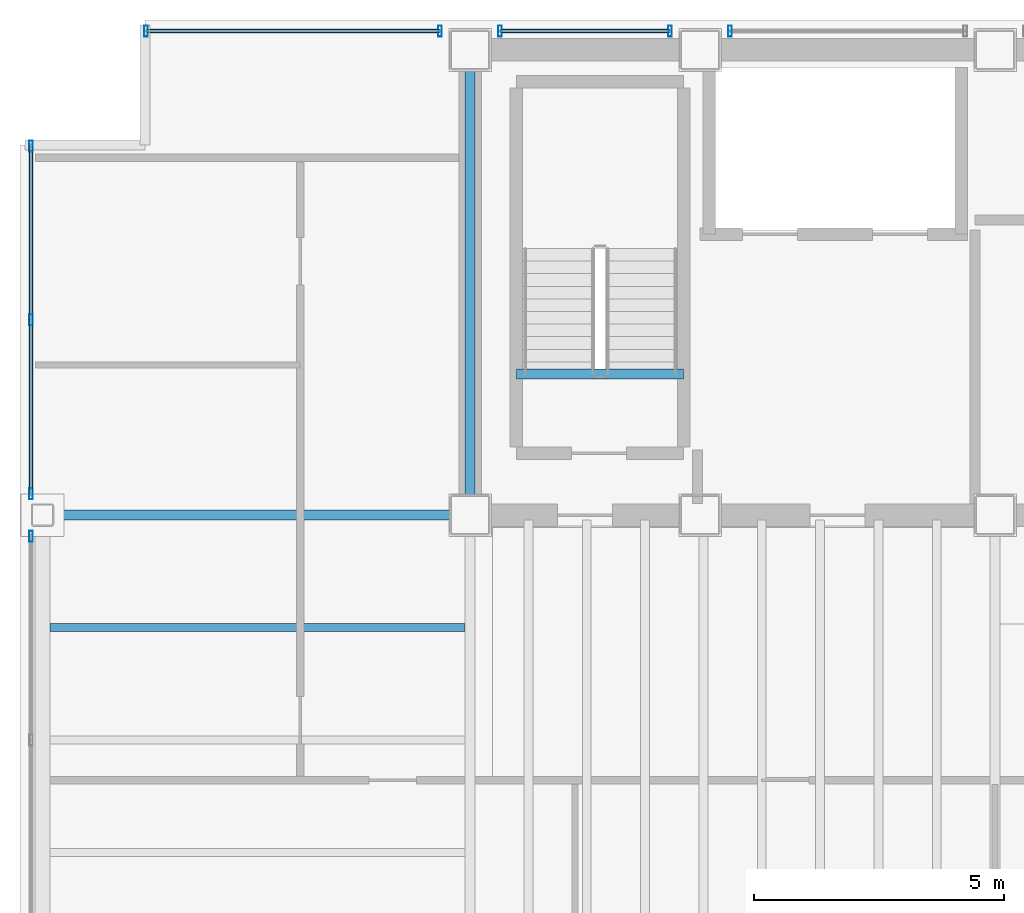
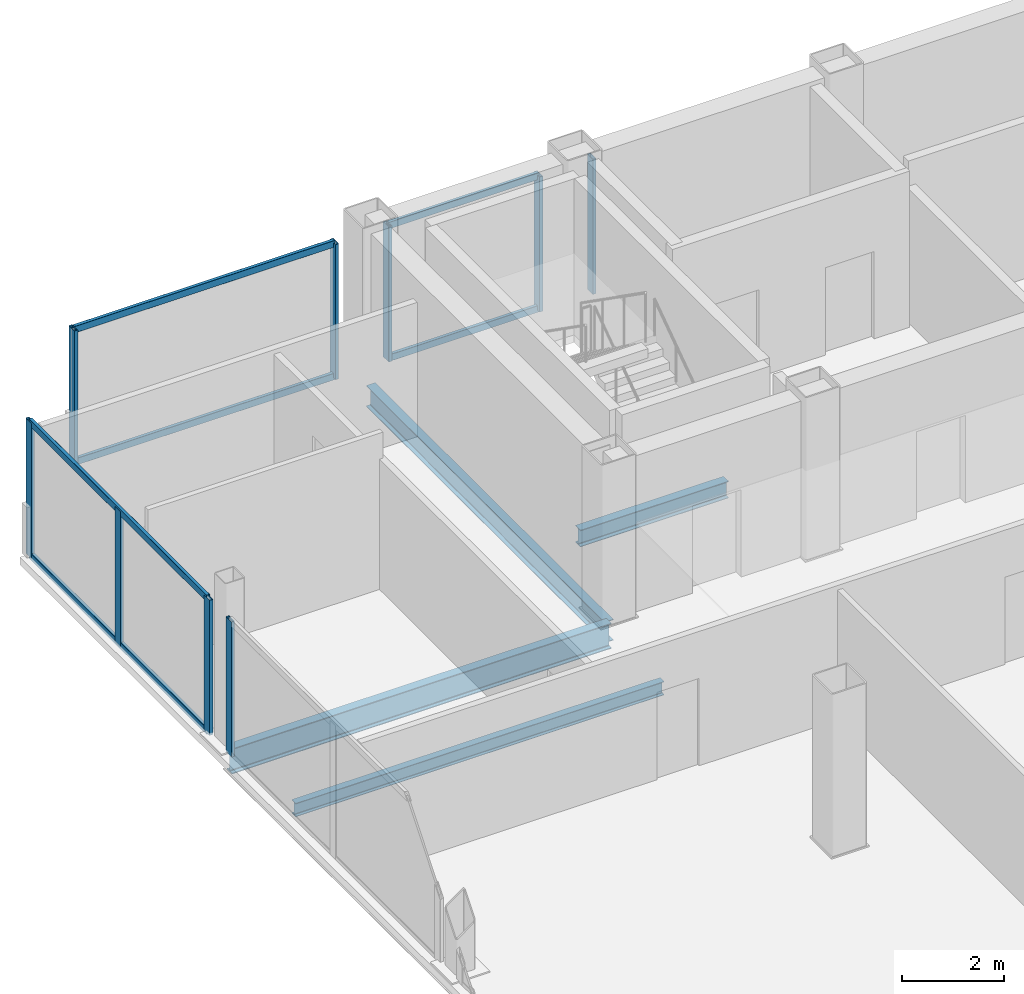
# One storey, part 8 of 16: 15 members, 4 beams, 5 elements without a shape of their own.
"""IFC4 building model written with IfcOpenShell, lengths in metres."""

import ifcopenshell
import ifcopenshell.guid

model = None  # the IFC model being written
_history = None  # IfcOwnerHistory: only IFC2X3 demands one
_inside = {}  # id of a spatial element -> (the spatial element, [elements in it])
_under = {}  # id of a project, library or spatial element -> (it, [spatial elements below it])
_declared = {}  # id of a project -> (the project, [libraries it declares])
_typed = {}  # id of a type object -> (the type object, [elements of that type])
_made_of = {}  # id of a material, layer set ... -> (it, [elements and type objects made of it])


def new_model(schema):
    """Start an empty IFC model of exactly this schema.

    Asked for "IFC4X3", IfcOpenShell would pick the latest addendum, in which some entities
    have other attributes; the version numbers below select the first issue.
    IFC2X3 requires an IfcOwnerHistory on every rooted entity: one is made here for all.
    """
    global model, _history
    if schema == "IFC4X3":
        model = ifcopenshell.file(schema_version=(4, 3, 0, 0))
    else:
        model = ifcopenshell.file(schema=schema)
    _inside.clear()
    _under.clear()
    _declared.clear()
    _typed.clear()
    _made_of.clear()
    _history = None
    if model.schema == "IFC2X3":
        org = make("IfcOrganization", Name="unknown")
        user = make(
            "IfcPersonAndOrganization",
            ThePerson=make("IfcPerson", FamilyName="unknown"),
            TheOrganization=org,
        )
        app = make(
            "IfcApplication",
            ApplicationDeveloper=org,
            Version="unknown",
            ApplicationFullName="unknown",
            ApplicationIdentifier="unknown",
        )
        _history = make(
            "IfcOwnerHistory",
            OwningUser=user,
            OwningApplication=app,
            ChangeAction="ADDED",
            CreationDate=0,
        )
    return model


def make(cls, **values):
    """One entity of the class cls with the attributes given. An attribute that is None is left unset."""
    return model.create_entity(
        cls, **{name: value for name, value in values.items() if value is not None}
    )


def rooted(cls, **values):
    """An entity with a GlobalId (a new one), such as an element, a storey or a relation."""
    return make(cls, GlobalId=ifcopenshell.guid.new(), OwnerHistory=_history, **values)


def si_unit(unit_type, name, prefix=None):
    """IfcSIUnit, for example si_unit("LENGTHUNIT", "METRE", prefix="MILLI")."""
    return make("IfcSIUnit", UnitType=unit_type, Prefix=prefix, Name=name)


def assignment(units):
    """IfcUnitAssignment: the units of a project."""
    return None if units is None else make("IfcUnitAssignment", Units=units)


def point(xyz):
    """IfcCartesianPoint."""
    return None if xyz is None else make("IfcCartesianPoint", Coordinates=xyz)


def direction(xyz):
    """IfcDirection."""
    return None if xyz is None else make("IfcDirection", DirectionRatios=xyz)


def frame(location, z_axis=None, x_axis=None):
    """IfcAxis2Placement3D, a coordinate frame: its origin and axes. An axis left out is left unset."""
    return make(
        "IfcAxis2Placement3D",
        Location=point(location),
        Axis=direction(z_axis),
        RefDirection=direction(x_axis),
    )


def frame_2d(location, x_axis=None):
    """IfcAxis2Placement2D, a coordinate frame in the plane: its origin and x axis."""
    return make(
        "IfcAxis2Placement2D", Location=point(location), RefDirection=direction(x_axis)
    )


def origin():
    """The frame at (0, 0, 0) with its axes left unset."""
    return frame((0.0, 0.0, 0.0))


def origin_2d():
    """The frame at (0, 0) in the plane with its x axis left unset."""
    return frame_2d((0.0, 0.0))


def place(relative_to, where):
    """IfcLocalPlacement: puts the frame where relative to a parent placement (None: the world)."""
    return make(
        "IfcLocalPlacement", PlacementRelTo=relative_to, RelativePlacement=where
    )


def context(
    kind, dimensions, precision=None, world=None, true_north=None, identifier=None
):
    """IfcGeometricRepresentationContext, for example the 3D "Model" context."""
    return make(
        "IfcGeometricRepresentationContext",
        ContextIdentifier=identifier,
        ContextType=kind,
        CoordinateSpaceDimension=dimensions,
        Precision=precision,
        WorldCoordinateSystem=world,
        TrueNorth=true_north,
    )


def subcontext(parent, identifier, kind, view, scale=None):
    """IfcGeometricRepresentationSubContext, for example "Body" below "Model"."""
    return make(
        "IfcGeometricRepresentationSubContext",
        ContextIdentifier=identifier,
        ContextType=kind,
        ParentContext=parent,
        TargetScale=scale,
        TargetView=view,
    )


def project(units=None, contexts=None):
    """IfcProject with its units and contexts."""
    return rooted(
        "IfcProject",
        Name="project",
        RepresentationContexts=contexts,
        UnitsInContext=assignment(units),
    )


def spatial(cls, under=None, at=None, **own):
    """A site, building, storey or space (cls), placed at a placement, below another one or the project."""
    s = rooted(cls, ObjectPlacement=at, **own)
    if under is not None:
        _under.setdefault(under.id(), (under, []))[1].append(s)
    return s


def profile(cls, at=None, kind="AREA", **sizes):
    """A parametric profile (cls). Its sizes go by their IFC names, for example OverallWidth=200.0."""
    return make(cls, ProfileType=kind, Position=at, **sizes)


def hollow_rectangle(**sizes):
    """IfcRectangleHollowProfileDef."""
    return profile("IfcRectangleHollowProfileDef", **sizes)


def i_section(**sizes):
    """IfcIShapeProfileDef."""
    return profile("IfcIShapeProfileDef", **sizes)


def extrude(swept, where, along, depth):
    """IfcExtrudedAreaSolid: the profile swept, set in the frame where, extruded along a direction by depth."""
    return make(
        "IfcExtrudedAreaSolid",
        SweptArea=swept,
        Position=where,
        ExtrudedDirection=direction(along),
        Depth=depth,
    )


def shape(context_of_items, identifier, shape_type, items):
    """IfcShapeRepresentation: the items that make up one representation, for example the "Body"."""
    return make(
        "IfcShapeRepresentation",
        ContextOfItems=context_of_items,
        RepresentationIdentifier=identifier,
        RepresentationType=shape_type,
        Items=items,
    )


def material(Name=None, Category=None):
    """IfcMaterial."""
    return make("IfcMaterial", Name=Name, Category=Category)


def material_profile(
    of_material, cross_section, Name=None, Category=None, Priority=None
):
    """IfcMaterialProfile: a cross section and its material."""
    return make(
        "IfcMaterialProfile",
        Name=Name,
        Material=of_material,
        Profile=cross_section,
        Priority=Priority,
        Category=Category,
    )


def profile_set(profiles, Name=None, composite=None):
    """IfcMaterialProfileSet."""
    return make(
        "IfcMaterialProfileSet",
        Name=Name,
        MaterialProfiles=profiles,
        CompositeProfile=composite,
    )


def made_of(thing, what):
    """Note that an element or type object is made of a material, layer set ...; save() writes the relation."""
    if what is not None:
        _made_of.setdefault(what.id(), (what, []))[1].append(thing)
    return thing


def type_object(cls, material=None, **own):
    """A type object (cls), such as IfcWallType, which elements share."""
    return made_of(rooted(cls, **own), material)


def element(
    cls,
    number,
    at=None,
    inside=None,
    cuts=None,
    type_object=None,
    material=None,
    context=None,
    identifier="Body",
    shape_type=None,
    held_by="IfcProductDefinitionShape",
    body=None,
    shapes=None,
    **own,
):
    """One element of the class cls, such as IfcWall. Its Tag is "e" and its number.

    at: its placement. inside: the storey or other place that contains it. cuts: it is an
    opening in that element (IfcRelVoidsElement). A single representation is given by context,
    identifier, shape_type and body (its items); several are given by shapes. held_by: the class
    of the entity that holds the representations. save() writes the other relations.
    """
    e = rooted(cls, Tag="e%d" % number, ObjectPlacement=at, **own)
    if body is not None:
        shapes = [shape(context, identifier, shape_type, body)]
    if shapes is not None:
        e.Representation = make(held_by, Representations=shapes)
    if inside is not None:
        _inside.setdefault(inside.id(), (inside, []))[1].append(e)
    if cuts is not None:
        rooted(
            "IfcRelVoidsElement", RelatingBuildingElement=cuts, RelatedOpeningElement=e
        )
    if type_object is not None:
        _typed.setdefault(type_object.id(), (type_object, []))[1].append(e)
    return made_of(e, material)


def aggregate(whole, parts):
    """IfcRelAggregates: a whole, such as a stair, and the parts it consists of."""
    return rooted("IfcRelAggregates", RelatingObject=whole, RelatedObjects=parts)


def save(model, path):
    """Write the relations noted so far, then the file.

    IfcRelAggregates (storeys below a building ...), IfcRelContainedInSpatialStructure (elements
    in a storey), IfcRelDefinesByType, IfcRelAssociatesMaterial and IfcRelDeclares: one each for
    every whole, place, type object, material and project.
    """
    for whole, parts in _under.values():
        aggregate(whole, parts)
    for where, things in _inside.values():
        rooted(
            "IfcRelContainedInSpatialStructure",
            RelatedElements=things,
            RelatingStructure=where,
        )
    for kind, things in _typed.values():
        rooted("IfcRelDefinesByType", RelatedObjects=things, RelatingType=kind)
    for what, things in _made_of.values():
        rooted("IfcRelAssociatesMaterial", RelatedObjects=things, RelatingMaterial=what)
    for by, libraries in _declared.values():
        rooted("IfcRelDeclares", RelatingContext=by, RelatedDefinitions=libraries)
    model.write(path)


model = new_model("IFC4")

# Units and contexts
model_context = context("Model", 3, precision=1e-05, world=origin(), true_north=direction((0.0, 1.0)))
body_context = subcontext(model_context, "Body", "Model", "MODEL_VIEW")
ifc_project = project(units=[si_unit("LENGTHUNIT", "METRE"), si_unit("AREAUNIT", "SQUARE_METRE"), si_unit("VOLUMEUNIT", "CUBIC_METRE"), si_unit("PLANEANGLEUNIT", "RADIAN"), si_unit("MASSUNIT", "GRAM", prefix="KILO")], contexts=[model_context])

# Site, building, storey
site_placement = place(None, origin())
site = spatial("IfcSite", under=ifc_project, at=site_placement, CompositionType="ELEMENT")
building_placement = place(site_placement, origin())
building = spatial("IfcBuilding", under=site, at=building_placement, Name="Noeulbin Bourse Tower", CompositionType="ELEMENT")
storey_placement = place(building_placement, frame((0.0, 0.0, 234.5)))
storey = spatial("IfcBuildingStorey", under=building, at=storey_placement, Name="L58", CompositionType="ELEMENT", Elevation=234.5)

# Beams
ifc_material_1 = material(Name="Steel S355", Category="steel")
ifc_material_profile_1 = material_profile(ifc_material_1, i_section(OverallWidth=0.199951171875, OverallDepth=0.5, WebThickness=0.010009765625, FlangeThickness=0.01611328125, FilletRadius=0.02001953125, at=origin_2d()), Name="H-500x200x10x16", Category="LoadBearing")
ifc_profile_set_1 = profile_set([ifc_material_profile_1], Name="Steel S355")
beam_type_1 = type_object("IfcBeamType", Name="BM-GRD-500", PredefinedType="USERDEFINED", material=ifc_profile_set_1)
beam_1_placement = place(storey_placement, frame((13.5, 29.0, -0.429931640625), z_axis=(0.0, 1.0, 0.0), x_axis=(-1.0, 0.0, 0.0)))
element("IfcBeam", 1, at=beam_1_placement, inside=storey, type_object=beam_type_1, Name="Tower Primary Girder NS L58-1.3", ObjectType="GIRDER", PredefinedType="USERDEFINED", context=body_context, shape_type="SweptSolid", body=[
    extrude(i_section(OverallWidth=0.199951171875, OverallDepth=0.5, WebThickness=0.010009765625, FlangeThickness=0.01611328125, FilletRadius=0.02001953125, at=origin_2d()), origin(), (0.0, 0.0, 1.0), 9.300048828125),
])
ifc_material_profile_2 = material_profile(ifc_material_1, i_section(OverallWidth=0.199951171875, OverallDepth=0.60009765625, WebThickness=0.010986328125, FlangeThickness=0.01708984375, FilletRadius=0.02197265625, at=origin_2d()), Name="H-600x200x11x17", Category="LoadBearing")
ifc_profile_set_2 = profile_set([ifc_material_profile_2], Name="Steel S355")
beam_type_2 = type_object("IfcBeamType", Name="BM-GRD-600", PredefinedType="USERDEFINED", material=ifc_profile_set_2)
beam_2_placement = place(storey_placement, frame((4.949951171875, 29.0, -0.47998046875), z_axis=(1.0, 0.0, 0.0), x_axis=(0.0, 1.0, 0.0)))
element("IfcBeam", 2, at=beam_2_placement, inside=storey, type_object=beam_type_2, Name="Tower Primary Girder EW L58-2.1", ObjectType="GIRDER", PredefinedType="USERDEFINED", context=body_context, shape_type="SweptSolid", body=[
    extrude(i_section(OverallWidth=0.199951171875, OverallDepth=0.60009765625, WebThickness=0.010986328125, FlangeThickness=0.01708984375, FilletRadius=0.02197265625, at=origin_2d()), origin(), (0.0, 0.0, 1.0), 8.550048828125),
])
ifc_material_profile_3 = material_profile(ifc_material_1, i_section(OverallWidth=0.159912109375, OverallDepth=0.320068359375, WebThickness=0.006591796875, FlangeThickness=0.010009765625, FilletRadius=0.012939453125, at=origin_2d()), Name="H-320x160x6.5x10", Category="LoadBearing")
ifc_profile_set_3 = profile_set([ifc_material_profile_3], Name="Steel S355")
beam_type_3 = type_object("IfcBeamType", Name="BM-JST-320", PredefinedType="JOIST", material=ifc_profile_set_3)
beam_3_placement = place(storey_placement, frame((5.10009765625, 26.75, -0.340087890625), z_axis=(1.0, 0.0, 0.0), x_axis=(0.0, 1.0, 0.0)))
element("IfcBeam", 3, at=beam_3_placement, inside=storey, type_object=beam_type_3, Name="Wing Composite Joist L58-W39", PredefinedType="JOIST", context=body_context, shape_type="SweptSolid", body=[
    extrude(i_section(OverallWidth=0.159912109375, OverallDepth=0.320068359375, WebThickness=0.006591796875, FlangeThickness=0.010009765625, FilletRadius=0.012939453125, at=origin_2d()), origin(), (0.0, 0.0, 1.0), 8.2998046875),
])
ifc_material_profile_4 = material_profile(ifc_material_1, i_section(OverallWidth=0.199951171875, OverallDepth=0.39990234375, WebThickness=0.008056640625, FlangeThickness=0.012939453125, FilletRadius=0.01611328125, at=origin_2d()), Name="H-400x200x8x13", Category="LoadBearing")
ifc_profile_set_4 = profile_set([ifc_material_profile_4], Name="Steel S355")
beam_type_4 = type_object("IfcBeamType", Name="BM-SEC-400", PredefinedType="BEAM", material=ifc_profile_set_4)
beam_4_placement = place(storey_placement, frame((14.429931640625, 31.820068359375, -0.199951171875), z_axis=(1.0, 0.0, 0.0), x_axis=(0.0, 1.0, 0.0)))
element("IfcBeam", 4, at=beam_4_placement, inside=storey, type_object=beam_type_4, Name="Stair Threshold Trimmer Beam ST1-L58", PredefinedType="BEAM", context=body_context, shape_type="SweptSolid", body=[
    extrude(i_section(OverallWidth=0.199951171875, OverallDepth=0.39990234375, WebThickness=0.008056640625, FlangeThickness=0.012939453125, FilletRadius=0.01611328125, at=origin_2d()), origin(), (0.0, 0.0, 1.0), 3.340087890625),
])

# Curtain wall, members
ifc_material_2 = material(Name="High-Selectivity Low-Iron Glazing", Category="glass")
curtain_wall_type = type_object("IfcCurtainWallType", Name="CW-SYS-4", PredefinedType="NOTDEFINED", material=ifc_material_2)
curtain_wall_1_placement = place(storey_placement, origin())
curtain_wall_1 = element("IfcCurtainWall", 5, at=curtain_wall_1_placement, inside=storey, type_object=curtain_wall_type, Name="Unitised Curtain Wall CW-L58-N-S1", PredefinedType="NOTDEFINED")
ifc_material_3 = material(Name="Anodised Aluminium 6063-T6", Category="aluminium")
ifc_material_profile_5 = material_profile(ifc_material_3, hollow_rectangle(XDim=0.074951171875, YDim=0.219970703125, WallThickness=0.0048828125, InnerFilletRadius=0.00244140625, OuterFilletRadius=0.0048828125, at=origin_2d()), Name="ALU-MULL-75x220x5", Category="LoadBearing")
ifc_profile_set_5 = profile_set([ifc_material_profile_5], Name="Anodised Aluminium 6063-T6")
member_type_1 = type_object("IfcMemberType", Name="CW-SYS-4-MUL", PredefinedType="MULLION", material=ifc_profile_set_5)
member_1_placement = place(storey_placement, frame((7.02001953125, 38.679931640625, -0.02001953125), z_axis=(0.0, 0.0, 1.0), x_axis=(1.0, 0.0, 0.0)))
member_1 = element("IfcMember", 6, at=member_1_placement, type_object=member_type_1, Name="Curtain Wall Mullion CW-L58-N-S1-M00", PredefinedType="MULLION", context=body_context, shape_type="SweptSolid", body=[
    extrude(hollow_rectangle(XDim=0.074951171875, YDim=0.219970703125, WallThickness=0.0048828125, InnerFilletRadius=0.00244140625, OuterFilletRadius=0.0048828125, at=origin_2d()), origin(), (0.0, 0.0, 1.0), 3.219970703125),
])
member_2_placement = place(storey_placement, frame((12.89990234375, 38.679931640625, -0.02001953125), z_axis=(0.0, 0.0, 1.0), x_axis=(1.0, 0.0, 0.0)))
member_2 = element("IfcMember", 7, at=member_2_placement, type_object=member_type_1, Name="Curtain Wall Mullion CW-L58-N-S1-M01", PredefinedType="MULLION", context=body_context, shape_type="SweptSolid", body=[
    extrude(hollow_rectangle(XDim=0.074951171875, YDim=0.219970703125, WallThickness=0.0048828125, InnerFilletRadius=0.00244140625, OuterFilletRadius=0.0048828125, at=origin_2d()), origin(), (0.0, 0.0, 1.0), 3.219970703125),
])

curtain_wall_2_placement = place(storey_placement, origin())
curtain_wall_2 = element("IfcCurtainWall", 8, at=curtain_wall_2_placement, inside=storey, type_object=curtain_wall_type, Name="Unitised Curtain Wall CW-L58-N-S2", PredefinedType="NOTDEFINED")
member_3_placement = place(storey_placement, frame((14.10009765625, 38.679931640625, -0.02001953125), z_axis=(0.0, 0.0, 1.0), x_axis=(1.0, 0.0, 0.0)))
member_3 = element("IfcMember", 9, at=member_3_placement, type_object=member_type_1, Name="Curtain Wall Mullion CW-L58-N-S2-M00", PredefinedType="MULLION", context=body_context, shape_type="SweptSolid", body=[
    extrude(hollow_rectangle(XDim=0.074951171875, YDim=0.219970703125, WallThickness=0.0048828125, InnerFilletRadius=0.00244140625, OuterFilletRadius=0.0048828125, at=origin_2d()), origin(), (0.0, 0.0, 1.0), 3.219970703125),
])
member_4_placement = place(storey_placement, frame((17.5, 38.679931640625, -0.02001953125), z_axis=(0.0, 0.0, 1.0), x_axis=(1.0, 0.0, 0.0)))
member_4 = element("IfcMember", 10, at=member_4_placement, type_object=member_type_1, Name="Curtain Wall Mullion CW-L58-N-S2-M01", PredefinedType="MULLION", context=body_context, shape_type="SweptSolid", body=[
    extrude(hollow_rectangle(XDim=0.074951171875, YDim=0.219970703125, WallThickness=0.0048828125, InnerFilletRadius=0.00244140625, OuterFilletRadius=0.0048828125, at=origin_2d()), origin(), (0.0, 0.0, 1.0), 3.219970703125),
])

# Curtain wall, member
curtain_wall_3_placement = place(storey_placement, origin())
curtain_wall_3 = element("IfcCurtainWall", 11, at=curtain_wall_3_placement, inside=storey, type_object=curtain_wall_type, Name="Unitised Curtain Wall CW-L58-N-S3", PredefinedType="NOTDEFINED")
member_5_placement = place(storey_placement, frame((18.699951171875, 38.679931640625, -0.02001953125), z_axis=(0.0, 0.0, 1.0), x_axis=(1.0, 0.0, 0.0)))
member_5 = element("IfcMember", 12, at=member_5_placement, type_object=member_type_1, Name="Curtain Wall Mullion CW-L58-N-S3-M00", PredefinedType="MULLION", context=body_context, shape_type="SweptSolid", body=[
    extrude(hollow_rectangle(XDim=0.074951171875, YDim=0.219970703125, WallThickness=0.0048828125, InnerFilletRadius=0.00244140625, OuterFilletRadius=0.0048828125, at=origin_2d()), origin(), (0.0, 0.0, 1.0), 3.219970703125),
])
aggregate(curtain_wall_3, [member_5])

curtain_wall_4_placement = place(storey_placement, origin())
curtain_wall_4 = element("IfcCurtainWall", 13, at=curtain_wall_4_placement, inside=storey, type_object=curtain_wall_type, Name="Unitised Curtain Wall CW-L58-W-S2", PredefinedType="NOTDEFINED")
member_6_placement = place(storey_placement, frame((4.719970703125, 28.574951171875, -0.02001953125), z_axis=(0.0, 0.0, 1.0), x_axis=(1.0, 0.0, 0.0)))
member_6 = element("IfcMember", 14, at=member_6_placement, type_object=member_type_1, Name="Curtain Wall Mullion CW-L58-W-S2-M02", PredefinedType="MULLION", context=body_context, shape_type="SweptSolid", body=[
    extrude(hollow_rectangle(XDim=0.074951171875, YDim=0.219970703125, WallThickness=0.0048828125, InnerFilletRadius=0.00244140625, OuterFilletRadius=0.0048828125, at=origin_2d()), origin(), (0.0, 0.0, 1.0), 3.219970703125),
])
aggregate(curtain_wall_4, [member_6])

# Curtain wall, members
curtain_wall_5_placement = place(storey_placement, origin())
curtain_wall_5 = element("IfcCurtainWall", 15, at=curtain_wall_5_placement, inside=storey, type_object=curtain_wall_type, Name="Unitised Curtain Wall CW-L58-W-S3", PredefinedType="NOTDEFINED")
member_7_placement = place(storey_placement, frame((4.719970703125, 29.425048828125, -0.02001953125), z_axis=(0.0, 0.0, 1.0), x_axis=(1.0, 0.0, 0.0)))
member_7 = element("IfcMember", 16, at=member_7_placement, type_object=member_type_1, Name="Curtain Wall Mullion CW-L58-W-S3-M00", PredefinedType="MULLION", context=body_context, shape_type="SweptSolid", body=[
    extrude(hollow_rectangle(XDim=0.074951171875, YDim=0.219970703125, WallThickness=0.0048828125, InnerFilletRadius=0.00244140625, OuterFilletRadius=0.0048828125, at=origin_2d()), origin(), (0.0, 0.0, 1.0), 3.219970703125),
])
member_8_placement = place(storey_placement, frame((4.719970703125, 32.902587890625, -0.02001953125), z_axis=(0.0, 0.0, 1.0), x_axis=(1.0, 0.0, 0.0)))
member_8 = element("IfcMember", 17, at=member_8_placement, type_object=member_type_1, Name="Curtain Wall Mullion CW-L58-W-S3-M01", PredefinedType="MULLION", context=body_context, shape_type="SweptSolid", body=[
    extrude(hollow_rectangle(XDim=0.074951171875, YDim=0.219970703125, WallThickness=0.0048828125, InnerFilletRadius=0.00244140625, OuterFilletRadius=0.0048828125, at=origin_2d()), origin(), (0.0, 0.0, 1.0), 3.219970703125),
])
member_9_placement = place(storey_placement, frame((4.719970703125, 36.3798828125, -0.02001953125), z_axis=(0.0, 0.0, 1.0), x_axis=(1.0, 0.0, 0.0)))
member_9 = element("IfcMember", 18, at=member_9_placement, type_object=member_type_1, Name="Curtain Wall Mullion CW-L58-W-S3-M02", PredefinedType="MULLION", context=body_context, shape_type="SweptSolid", body=[
    extrude(hollow_rectangle(XDim=0.074951171875, YDim=0.219970703125, WallThickness=0.0048828125, InnerFilletRadius=0.00244140625, OuterFilletRadius=0.0048828125, at=origin_2d()), origin(), (0.0, 0.0, 1.0), 3.219970703125),
])

# Member
ifc_material_profile_6 = material_profile(ifc_material_3, hollow_rectangle(XDim=0.074951171875, YDim=0.159912109375, WallThickness=0.0048828125, InnerFilletRadius=0.00244140625, OuterFilletRadius=0.0048828125, at=origin_2d()), Name="ALU-TRAN-75x160x5", Category="LoadBearing")
ifc_profile_set_6 = profile_set([ifc_material_profile_6], Name="Anodised Aluminium 6063-T6")
member_type_2 = type_object("IfcMemberType", Name="CW-SYS-4-TRN", PredefinedType="USERDEFINED", material=ifc_profile_set_6)
member_10_placement = place(storey_placement, frame((7.030029296875, 38.679931640625, 0.010009765625), z_axis=(1.0, 0.0, 0.0), x_axis=(0.0, 1.0, 0.0)))
member_10 = element("IfcMember", 19, at=member_10_placement, type_object=member_type_2, Name="Curtain Wall Transom CW-L58-N-S1-T00", ObjectType="TRANSOM", PredefinedType="USERDEFINED", context=body_context, shape_type="SweptSolid", body=[
    extrude(hollow_rectangle(XDim=0.074951171875, YDim=0.159912109375, WallThickness=0.0048828125, InnerFilletRadius=0.00244140625, OuterFilletRadius=0.0048828125, at=origin_2d()), origin(), (0.0, 0.0, 1.0), 5.85986328125),
])

member_11_placement = place(storey_placement, frame((7.030029296875, 38.679931640625, 3.169921875), z_axis=(1.0, 0.0, 0.0), x_axis=(0.0, 1.0, 0.0)))
member_11 = element("IfcMember", 20, at=member_11_placement, type_object=member_type_2, Name="Curtain Wall Transom CW-L58-N-S1-T01", ObjectType="TRANSOM", PredefinedType="USERDEFINED", context=body_context, shape_type="SweptSolid", body=[
    extrude(hollow_rectangle(XDim=0.074951171875, YDim=0.159912109375, WallThickness=0.0048828125, InnerFilletRadius=0.00244140625, OuterFilletRadius=0.0048828125, at=origin_2d()), origin(), (0.0, 0.0, 1.0), 5.85986328125),
])

aggregate(curtain_wall_1, [member_1, member_2, member_10, member_11])

member_12_placement = place(storey_placement, frame((14.110107421875, 38.679931640625, 0.010009765625), z_axis=(1.0, 0.0, 0.0), x_axis=(0.0, 1.0, 0.0)))
member_12 = element("IfcMember", 21, at=member_12_placement, type_object=member_type_2, Name="Curtain Wall Transom CW-L58-N-S2-T00", ObjectType="TRANSOM", PredefinedType="USERDEFINED", context=body_context, shape_type="SweptSolid", body=[
    extrude(hollow_rectangle(XDim=0.074951171875, YDim=0.159912109375, WallThickness=0.0048828125, InnerFilletRadius=0.00244140625, OuterFilletRadius=0.0048828125, at=origin_2d()), origin(), (0.0, 0.0, 1.0), 3.3798828125),
])

member_13_placement = place(storey_placement, frame((14.110107421875, 38.679931640625, 3.169921875), z_axis=(1.0, 0.0, 0.0), x_axis=(0.0, 1.0, 0.0)))
member_13 = element("IfcMember", 22, at=member_13_placement, type_object=member_type_2, Name="Curtain Wall Transom CW-L58-N-S2-T01", ObjectType="TRANSOM", PredefinedType="USERDEFINED", context=body_context, shape_type="SweptSolid", body=[
    extrude(hollow_rectangle(XDim=0.074951171875, YDim=0.159912109375, WallThickness=0.0048828125, InnerFilletRadius=0.00244140625, OuterFilletRadius=0.0048828125, at=origin_2d()), origin(), (0.0, 0.0, 1.0), 3.3798828125),
])

aggregate(curtain_wall_2, [member_3, member_4, member_12, member_13])

member_14_placement = place(storey_placement, frame((4.719970703125, 29.43505859375, 0.010009765625), z_axis=(0.0, 1.0, 0.0), x_axis=(-1.0, 0.0, 0.0)))
member_14 = element("IfcMember", 23, at=member_14_placement, type_object=member_type_2, Name="Curtain Wall Transom CW-L58-W-S3-T00", ObjectType="TRANSOM", PredefinedType="USERDEFINED", context=body_context, shape_type="SweptSolid", body=[
    extrude(hollow_rectangle(XDim=0.074951171875, YDim=0.159912109375, WallThickness=0.0048828125, InnerFilletRadius=0.00244140625, OuterFilletRadius=0.0048828125, at=origin_2d()), origin(), (0.0, 0.0, 1.0), 6.93505859375),
])

member_15_placement = place(storey_placement, frame((4.719970703125, 29.43505859375, 3.169921875), z_axis=(0.0, 1.0, 0.0), x_axis=(-1.0, 0.0, 0.0)))
member_15 = element("IfcMember", 24, at=member_15_placement, type_object=member_type_2, Name="Curtain Wall Transom CW-L58-W-S3-T01", ObjectType="TRANSOM", PredefinedType="USERDEFINED", context=body_context, shape_type="SweptSolid", body=[
    extrude(hollow_rectangle(XDim=0.074951171875, YDim=0.159912109375, WallThickness=0.0048828125, InnerFilletRadius=0.00244140625, OuterFilletRadius=0.0048828125, at=origin_2d()), origin(), (0.0, 0.0, 1.0), 6.93505859375),
])

aggregate(curtain_wall_5, [member_7, member_8, member_9, member_14, member_15])

save(model, "model.ifc")
